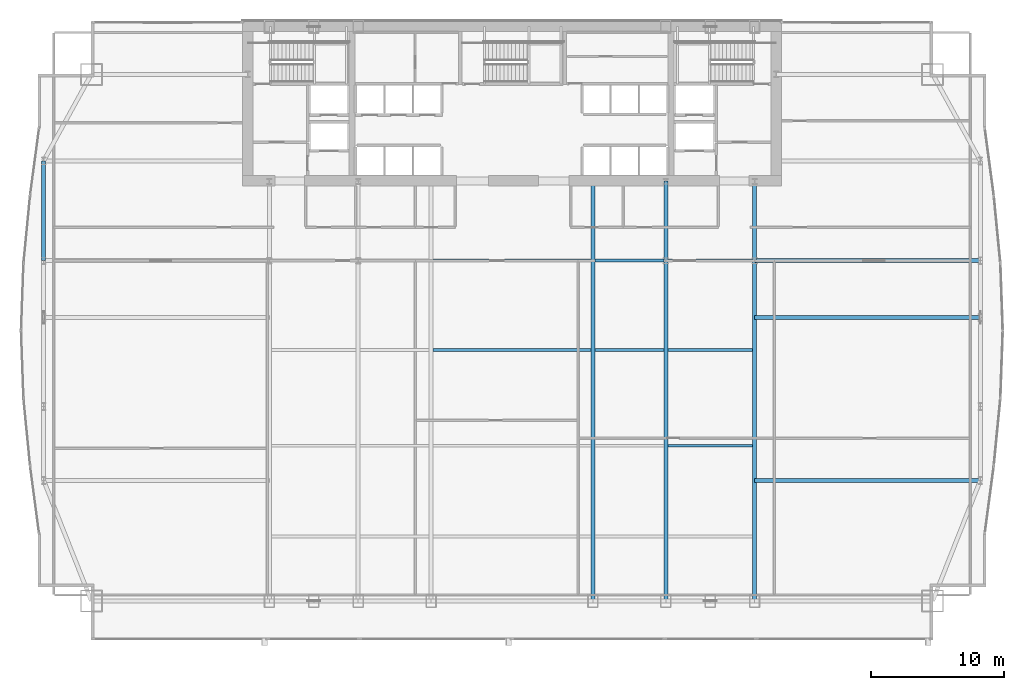
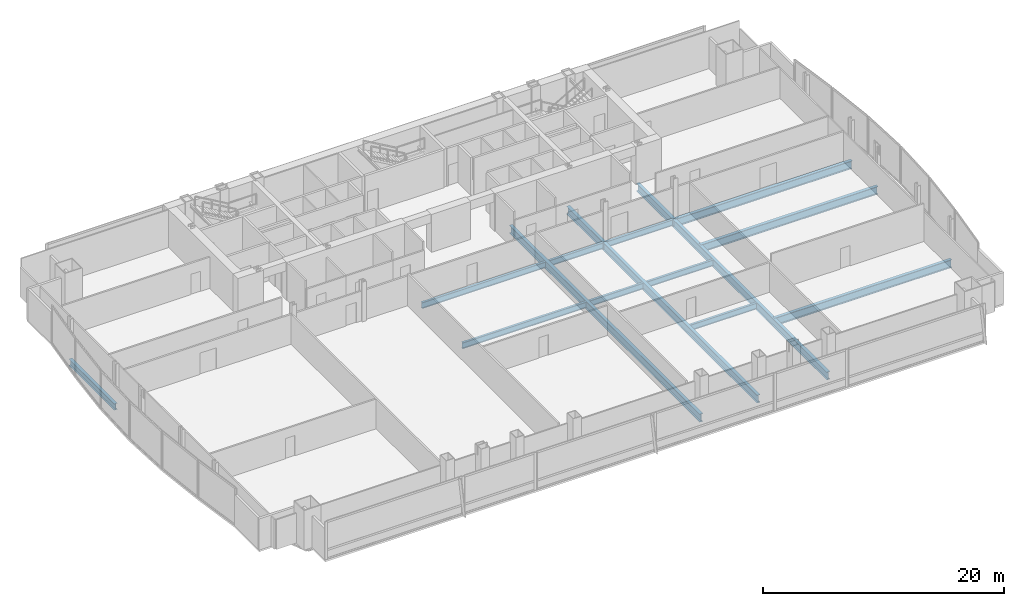
# One storey, part 15 of 35: 16 beams.
"""IFC4 building model written with IfcOpenShell, lengths in metres."""

from ifc_helpers import new_model, si_unit, direction, frame, origin, origin_2d, place, context, subcontext, project, spatial, i_section, extrude, material, material_profile, profile_set, type_object, element, save


model = new_model("IFC4")

# Units and contexts
model_context = context("Model", 3, precision=1e-05, world=origin(), true_north=direction((0.0, 1.0)))
body_context = subcontext(model_context, "Body", "Model", "MODEL_VIEW")
ifc_project = project(units=[si_unit("LENGTHUNIT", "METRE"), si_unit("AREAUNIT", "SQUARE_METRE"), si_unit("VOLUMEUNIT", "CUBIC_METRE"), si_unit("PLANEANGLEUNIT", "RADIAN"), si_unit("MASSUNIT", "GRAM", prefix="KILO")], contexts=[model_context])

# Site, building, storey
site_placement = place(None, origin())
site = spatial("IfcSite", under=ifc_project, at=site_placement, CompositionType="ELEMENT")
building_placement = place(site_placement, origin())
building = spatial("IfcBuilding", under=site, at=building_placement, Name="Khoronbel Lancet Exchange", CompositionType="ELEMENT")
storey_placement = place(building_placement, frame((0.0, 0.0, 69.800048828125)))
storey = spatial("IfcBuildingStorey", under=building, at=storey_placement, Name="L16", CompositionType="ELEMENT", Elevation=69.800048828125)

# Beams
ifc_material = material(Name="Steel S355", Category="steel")
ifc_material_profile_1 = material_profile(ifc_material, i_section(OverallWidth=0.300048828125, OverallDepth=0.800048828125, WebThickness=0.017578125, FlangeThickness=0.032958984375, at=origin_2d()), Name="HEB 800")
ifc_profile_set_1 = profile_set([ifc_material_profile_1], Name="Steel S355")
beam_type_1 = type_object("IfcBeamType", Name="BM-BG2", PredefinedType="BEAM", material=ifc_profile_set_1)
beam_1_placement = place(storey_placement, frame((42.52490234375, 10.14990234375, -0.580078125), z_axis=(0.0, 1.0, 0.0), x_axis=(-1.0, 0.0, 0.0)))
element("IfcBeam", 1, at=beam_1_placement, inside=storey, type_object=beam_type_1, Name="Level L16 primary floor girder G4", PredefinedType="BEAM", context=body_context, shape_type="SweptSolid", body=[
    extrude(i_section(OverallWidth=0.300048828125, OverallDepth=0.800048828125, WebThickness=0.017578125, FlangeThickness=0.032958984375, at=origin_2d()), origin(), (0.0, 0.0, 1.0), 31.550048828125),
])
beam_2_placement = place(storey_placement, frame((48.0, 10.14990234375, -0.580078125), z_axis=(0.0, 1.0, 0.0), x_axis=(-1.0, 0.0, 0.0)))
element("IfcBeam", 2, at=beam_2_placement, inside=storey, type_object=beam_type_1, Name="Level L16 south primary girder GS5", PredefinedType="BEAM", context=body_context, shape_type="SweptSolid", body=[
    extrude(i_section(OverallWidth=0.300048828125, OverallDepth=0.800048828125, WebThickness=0.017578125, FlangeThickness=0.032958984375, at=origin_2d()), origin(), (0.0, 0.0, 1.0), 25.550048828125),
])
beam_3_placement = place(storey_placement, frame((48.0, 35.699951171875, -0.580078125), z_axis=(0.0, 1.0, 0.0), x_axis=(-1.0, 0.0, 0.0)))
element("IfcBeam", 3, at=beam_3_placement, inside=storey, type_object=beam_type_1, Name="Level L16 spine tie girder GN5", PredefinedType="BEAM", context=body_context, shape_type="SweptSolid", body=[
    extrude(i_section(OverallWidth=0.300048828125, OverallDepth=0.800048828125, WebThickness=0.017578125, FlangeThickness=0.032958984375, at=origin_2d()), origin(), (0.0, 0.0, 1.0), 6.0),
])
beam_4_placement = place(storey_placement, frame((54.675048828125, 10.14990234375, -0.580078125), z_axis=(0.0, 1.0, 0.0), x_axis=(-1.0, 0.0, 0.0)))
element("IfcBeam", 4, at=beam_4_placement, inside=storey, type_object=beam_type_1, Name="Level L16 south primary girder GS6", PredefinedType="BEAM", context=body_context, shape_type="SweptSolid", body=[
    extrude(i_section(OverallWidth=0.300048828125, OverallDepth=0.800048828125, WebThickness=0.017578125, FlangeThickness=0.032958984375, at=origin_2d()), origin(), (0.0, 0.0, 1.0), 25.550048828125),
])
beam_5_placement = place(storey_placement, frame((54.675048828125, 35.699951171875, -0.580078125), z_axis=(0.0, 1.0, 0.0), x_axis=(-1.0, 0.0, 0.0)))
element("IfcBeam", 5, at=beam_5_placement, inside=storey, type_object=beam_type_1, Name="Level L16 spine tie girder GN6", PredefinedType="BEAM", context=body_context, shape_type="SweptSolid", body=[
    extrude(i_section(OverallWidth=0.300048828125, OverallDepth=0.800048828125, WebThickness=0.017578125, FlangeThickness=0.032958984375, at=origin_2d()), origin(), (0.0, 0.0, 1.0), 6.0),
])
for number, where, z_axis, x_axis, name in (
    (6, (54.675048828125, 19.199951171875, -0.580078125), (1.0, 0.0, 0.0), (0.0, 1.0, 0.0), "Level L16 east lens tie girder LG1E"),
    (7, (54.675048828125, 31.425048828125, -0.580078125), (1.0, 0.0, 0.0), (0.0, 1.0, 0.0), "Level L16 east lens tie girder LG2E"),
    (8, (54.675048828125, 35.699951171875, -0.580078125), (1.0, 0.0, 0.0), (0.0, 1.0, 0.0), "Level L16 east lens tie girder LG4E"),
):
    element("IfcBeam", number, at=place(storey_placement, frame(where, z_axis=z_axis, x_axis=x_axis)), inside=storey, type_object=beam_type_1, Name=name, PredefinedType="BEAM", context=body_context, shape_type="SweptSolid", body=[
        extrude(i_section(OverallWidth=0.300048828125, OverallDepth=0.800048828125, WebThickness=0.017578125, FlangeThickness=0.032958984375, at=origin_2d()), origin(), (0.0, 0.0, 1.0), 16.954833984375),
    ])
ifc_material_profile_2 = material_profile(ifc_material, i_section(OverallWidth=0.219970703125, OverallDepth=0.60009765625, WebThickness=0.011962890625, FlangeThickness=0.01904296875, at=origin_2d()), Name="IPE 600")
ifc_profile_set_2 = profile_set([ifc_material_profile_2], Name="Steel S355")
beam_type_2 = type_object("IfcBeamType", Name="BM-BJ1", PredefinedType="JOIST", material=ifc_profile_set_2)
beam_6_placement = place(storey_placement, frame((48.14990234375, 21.800048828125, -0.47998046875), z_axis=(1.0, 0.0, 0.0), x_axis=(0.0, 1.0, 0.0)))
element("IfcBeam", 9, at=beam_6_placement, inside=storey, type_object=beam_type_2, Name="Level L16 secondary composite joist J10", PredefinedType="JOIST", context=body_context, shape_type="SweptSolid", body=[
    extrude(i_section(OverallWidth=0.219970703125, OverallDepth=0.60009765625, WebThickness=0.011962890625, FlangeThickness=0.01904296875, at=origin_2d()), origin(), (0.0, 0.0, 1.0), 6.375),
])
beam_7_placement = place(storey_placement, frame((30.52490234375, 29.0, -0.47998046875), z_axis=(1.0, 0.0, 0.0), x_axis=(0.0, 1.0, 0.0)))
element("IfcBeam", 10, at=beam_7_placement, inside=storey, type_object=beam_type_2, Name="Level L16 secondary composite joist J13", PredefinedType="JOIST", context=body_context, shape_type="SweptSolid", body=[
    extrude(i_section(OverallWidth=0.219970703125, OverallDepth=0.60009765625, WebThickness=0.011962890625, FlangeThickness=0.01904296875, at=origin_2d()), origin(), (0.0, 0.0, 1.0), 11.85009765625),
])
beam_8_placement = place(storey_placement, frame((42.675048828125, 29.0, -0.47998046875), z_axis=(1.0, 0.0, 0.0), x_axis=(0.0, 1.0, 0.0)))
element("IfcBeam", 11, at=beam_8_placement, inside=storey, type_object=beam_type_2, Name="Level L16 secondary composite joist J14", PredefinedType="JOIST", context=body_context, shape_type="SweptSolid", body=[
    extrude(i_section(OverallWidth=0.219970703125, OverallDepth=0.60009765625, WebThickness=0.011962890625, FlangeThickness=0.01904296875, at=origin_2d()), origin(), (0.0, 0.0, 1.0), 5.175048828125),
])
beam_9_placement = place(storey_placement, frame((48.14990234375, 29.0, -0.47998046875), z_axis=(1.0, 0.0, 0.0), x_axis=(0.0, 1.0, 0.0)))
element("IfcBeam", 12, at=beam_9_placement, inside=storey, type_object=beam_type_2, Name="Level L16 secondary composite joist J15", PredefinedType="JOIST", context=body_context, shape_type="SweptSolid", body=[
    extrude(i_section(OverallWidth=0.219970703125, OverallDepth=0.60009765625, WebThickness=0.011962890625, FlangeThickness=0.01904296875, at=origin_2d()), origin(), (0.0, 0.0, 1.0), 6.375),
])
beam_10_placement = place(storey_placement, frame((30.52490234375, 35.699951171875, -0.47998046875), z_axis=(1.0, 0.0, 0.0), x_axis=(0.0, 1.0, 0.0)))
element("IfcBeam", 13, at=beam_10_placement, inside=storey, type_object=beam_type_2, Name="Level L16 secondary composite joist J18", PredefinedType="JOIST", context=body_context, shape_type="SweptSolid", body=[
    extrude(i_section(OverallWidth=0.219970703125, OverallDepth=0.60009765625, WebThickness=0.011962890625, FlangeThickness=0.01904296875, at=origin_2d()), origin(), (0.0, 0.0, 1.0), 11.85009765625),
])
beam_11_placement = place(storey_placement, frame((42.675048828125, 35.699951171875, -0.47998046875), z_axis=(1.0, 0.0, 0.0), x_axis=(0.0, 1.0, 0.0)))
element("IfcBeam", 14, at=beam_11_placement, inside=storey, type_object=beam_type_2, Name="Level L16 secondary composite joist J19", PredefinedType="JOIST", context=body_context, shape_type="SweptSolid", body=[
    extrude(i_section(OverallWidth=0.219970703125, OverallDepth=0.60009765625, WebThickness=0.011962890625, FlangeThickness=0.01904296875, at=origin_2d()), origin(), (0.0, 0.0, 1.0), 5.175048828125),
])
beam_12_placement = place(storey_placement, frame((48.14990234375, 35.699951171875, -0.47998046875), z_axis=(1.0, 0.0, 0.0), x_axis=(0.0, 1.0, 0.0)))
element("IfcBeam", 15, at=beam_12_placement, inside=storey, type_object=beam_type_2, Name="Level L16 secondary composite joist J20", PredefinedType="JOIST", context=body_context, shape_type="SweptSolid", body=[
    extrude(i_section(OverallWidth=0.219970703125, OverallDepth=0.60009765625, WebThickness=0.011962890625, FlangeThickness=0.01904296875, at=origin_2d()), origin(), (0.0, 0.0, 1.0), 6.375),
])
ifc_material_profile_3 = material_profile(ifc_material, i_section(OverallWidth=0.300048828125, OverallDepth=0.64990234375, WebThickness=0.01611328125, FlangeThickness=0.031005859375, at=origin_2d()), Name="HEB 650")
ifc_profile_set_3 = profile_set([ifc_material_profile_3], Name="Steel S355")
beam_type_3 = type_object("IfcBeamType", Name="BM-BSP1", PredefinedType="SPANDREL", material=ifc_profile_set_3)
beam_13_placement = place(storey_placement, frame((1.27001953125, 43.199951171875, -0.505126953125), z_axis=(0.0, -1.0, 0.0), x_axis=(1.0, 0.0, 0.0)))
element("IfcBeam", 16, at=beam_13_placement, inside=storey, type_object=beam_type_3, Name="Level L16 perimeter spandrel beam SP17", PredefinedType="SPANDREL", context=body_context, shape_type="SweptSolid", body=[
    extrude(i_section(OverallWidth=0.300048828125, OverallDepth=0.64990234375, WebThickness=0.01611328125, FlangeThickness=0.031005859375, at=origin_2d()), origin(), (0.0, 0.0, 1.0), 7.5),
])

save(model, "model.ifc")
